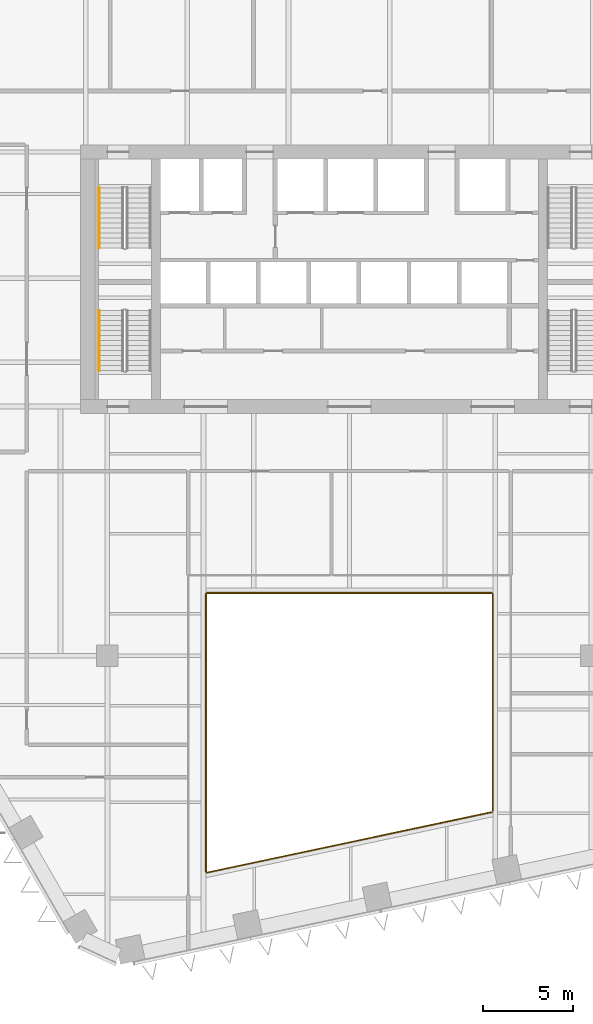
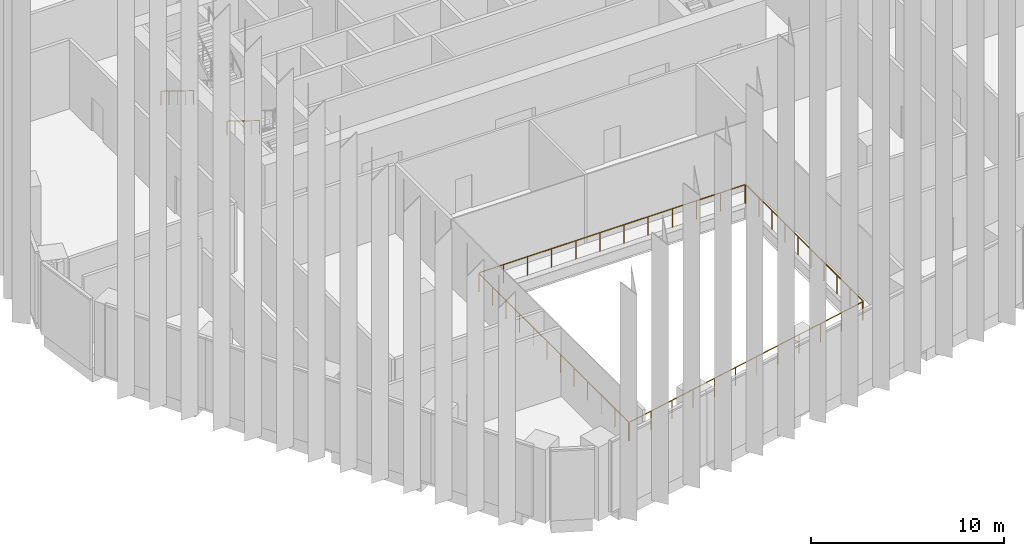
# One storey, part 14 of 18: 6 railings.
"""IFC4 building model written with IfcOpenShell, lengths in metres."""

from ifc_helpers import new_model, si_unit, direction, frame, origin, origin_2d, place, context, subcontext, project, spatial, circle, extrude, material, type_object, element, save


model = new_model("IFC4")

# Units and contexts
model_context = context("Model", 3, precision=1e-05, world=origin(), true_north=direction((0.0, 1.0)))
body_context = subcontext(model_context, "Body", "Model", "MODEL_VIEW")
ifc_project = project(units=[si_unit("LENGTHUNIT", "METRE"), si_unit("AREAUNIT", "SQUARE_METRE"), si_unit("VOLUMEUNIT", "CUBIC_METRE"), si_unit("PLANEANGLEUNIT", "RADIAN"), si_unit("MASSUNIT", "GRAM", prefix="KILO")], contexts=[model_context])

# Site, building, storey
site_placement = place(None, origin())
site = spatial("IfcSite", under=ifc_project, at=site_placement, CompositionType="ELEMENT")
building_placement = place(site_placement, origin())
building = spatial("IfcBuilding", under=site, at=building_placement, Name="Isthmus Gate Tower", CompositionType="ELEMENT")
storey_placement = place(building_placement, frame((0.0, 0.0, 166.300048828125)))
storey = spatial("IfcBuildingStorey", under=building, at=storey_placement, Name="L41", CompositionType="ELEMENT", Elevation=166.300048828125)

# Railings
ifc_material_1 = material(Name="Toughened laminated glass with stainless steel handrail", Category="steel")
railing_type_1 = type_object("IfcRailingType", Name="Atrium glass guard 1200", PredefinedType="GUARDRAIL", material=ifc_material_1)
railing_1_placement = place(storey_placement, frame((-7.951171875, -25.6005859375, 0.0)))
element("IfcRailing", 1, at=railing_1_placement, inside=storey, type_object=railing_type_1, Name="L41 atrium glass guard 1", PredefinedType="GUARDRAIL", context=body_context, shape_type="SweptSolid", body=[
    extrude(circle(Radius=0.030029296875, at=origin_2d()), frame((0.0, 0.0, 1.169921875), z_axis=(0.978150911752, 0.207896113091, 0.0), x_axis=(-0.207896113091, 0.978150911752, 0.0)), (0.0, 0.0, 1.0), 16.257568359375),
    extrude(circle(Radius=0.02490234375, at=origin_2d()), origin(), (0.0, 0.0, 1.0), 1.139892578125),
    extrude(circle(Radius=0.02490234375, at=origin_2d()), frame((1.445556640625, 0.307373046875, 0.0)), (0.0, 0.0, 1.0), 1.139892578125),
    extrude(circle(Radius=0.02490234375, at=origin_2d()), frame((2.891357421875, 0.614501953125, 0.0)), (0.0, 0.0, 1.0), 1.139892578125),
    extrude(circle(Radius=0.02490234375, at=origin_2d()), frame((4.3369140625, 0.921875, 0.0)), (0.0, 0.0, 1.0), 1.139892578125),
    extrude(circle(Radius=0.02490234375, at=origin_2d()), frame((5.78271484375, 1.22900390625, 0.0)), (0.0, 0.0, 1.0), 1.139892578125),
    extrude(circle(Radius=0.02490234375, at=origin_2d()), frame((7.228271484375, 1.536376953125, 0.0)), (0.0, 0.0, 1.0), 1.139892578125),
    extrude(circle(Radius=0.02490234375, at=origin_2d()), frame((8.674072265625, 1.843505859375, 0.0)), (0.0, 0.0, 1.0), 1.139892578125),
    extrude(circle(Radius=0.02490234375, at=origin_2d()), frame((10.11962890625, 2.15087890625, 0.0)), (0.0, 0.0, 1.0), 1.139892578125),
    extrude(circle(Radius=0.02490234375, at=origin_2d()), frame((11.5654296875, 2.4580078125, 0.0)), (0.0, 0.0, 1.0), 1.139892578125),
    extrude(circle(Radius=0.02490234375, at=origin_2d()), frame((13.010986328125, 2.765380859375, 0.0)), (0.0, 0.0, 1.0), 1.139892578125),
    extrude(circle(Radius=0.02490234375, at=origin_2d()), frame((14.456787109375, 3.072509765625, 0.0)), (0.0, 0.0, 1.0), 1.139892578125),
    extrude(circle(Radius=0.02490234375, at=origin_2d()), frame((15.90234375, 3.3798828125, 0.0)), (0.0, 0.0, 1.0), 1.139892578125),
])
railing_2_placement = place(storey_placement, frame((8.0, -22.16015625, 0.0)))
element("IfcRailing", 2, at=railing_2_placement, inside=storey, type_object=railing_type_1, Name="L41 atrium glass guard 2", PredefinedType="GUARDRAIL", context=body_context, shape_type="SweptSolid", body=[
    extrude(circle(Radius=0.030029296875, at=origin_2d()), frame((0.0, 0.0, 1.169921875), z_axis=(0.0, 1.0, 0.0), x_axis=(-1.0, 0.0, 0.0)), (0.0, 0.0, 1.0), 12.110107421875),
    extrude(circle(Radius=0.02490234375, at=origin_2d()), origin(), (0.0, 0.0, 1.0), 1.139892578125),
    extrude(circle(Radius=0.02490234375, at=origin_2d()), frame((0.0, 1.345458984375, 0.0)), (0.0, 0.0, 1.0), 1.139892578125),
    extrude(circle(Radius=0.02490234375, at=origin_2d()), frame((0.0, 2.691162109375, 0.0)), (0.0, 0.0, 1.0), 1.139892578125),
    extrude(circle(Radius=0.02490234375, at=origin_2d()), frame((0.0, 4.03662109375, 0.0)), (0.0, 0.0, 1.0), 1.139892578125),
    extrude(circle(Radius=0.02490234375, at=origin_2d()), frame((0.0, 5.38232421875, 0.0)), (0.0, 0.0, 1.0), 1.139892578125),
    extrude(circle(Radius=0.02490234375, at=origin_2d()), frame((0.0, 6.727783203125, 0.0)), (0.0, 0.0, 1.0), 1.139892578125),
    extrude(circle(Radius=0.02490234375, at=origin_2d()), frame((0.0, 8.073486328125, 0.0)), (0.0, 0.0, 1.0), 1.139892578125),
    extrude(circle(Radius=0.02490234375, at=origin_2d()), frame((0.0, 9.4189453125, 0.0)), (0.0, 0.0, 1.0), 1.139892578125),
    extrude(circle(Radius=0.02490234375, at=origin_2d()), frame((0.0, 10.7646484375, 0.0)), (0.0, 0.0, 1.0), 1.139892578125),
    extrude(circle(Radius=0.02490234375, at=origin_2d()), frame((0.0, 12.110107421875, 0.0)), (0.0, 0.0, 1.0), 1.139892578125),
])
railing_3_placement = place(storey_placement, frame((7.949951171875, -10.0, 0.0)))
element("IfcRailing", 3, at=railing_3_placement, inside=storey, type_object=railing_type_1, Name="L41 atrium glass guard 3", PredefinedType="GUARDRAIL", context=body_context, shape_type="SweptSolid", body=[
    extrude(circle(Radius=0.030029296875, at=origin_2d()), frame((0.0, 0.0, 1.169921875), z_axis=(-1.0, 0.0, 0.0), x_axis=(0.0, -1.0, 0.0)), (0.0, 0.0, 1.0), 15.89990234375),
    extrude(circle(Radius=0.02490234375, at=origin_2d()), origin(), (0.0, 0.0, 1.0), 1.139892578125),
    extrude(circle(Radius=0.02490234375, at=origin_2d()), frame((-1.445556640625, 0.0, 0.0)), (0.0, 0.0, 1.0), 1.139892578125),
    extrude(circle(Radius=0.02490234375, at=origin_2d()), frame((-2.890869140625, 0.0, 0.0)), (0.0, 0.0, 1.0), 1.139892578125),
    extrude(circle(Radius=0.02490234375, at=origin_2d()), frame((-4.33642578125, 0.0, 0.0)), (0.0, 0.0, 1.0), 1.139892578125),
    extrude(circle(Radius=0.02490234375, at=origin_2d()), frame((-5.78173828125, 0.0, 0.0)), (0.0, 0.0, 1.0), 1.139892578125),
    extrude(circle(Radius=0.02490234375, at=origin_2d()), frame((-7.227294921875, 0.0, 0.0)), (0.0, 0.0, 1.0), 1.139892578125),
    extrude(circle(Radius=0.02490234375, at=origin_2d()), frame((-8.672607421875, 0.0, 0.0)), (0.0, 0.0, 1.0), 1.139892578125),
    extrude(circle(Radius=0.02490234375, at=origin_2d()), frame((-10.1181640625, 0.0, 0.0)), (0.0, 0.0, 1.0), 1.139892578125),
    extrude(circle(Radius=0.02490234375, at=origin_2d()), frame((-11.5634765625, 0.0, 0.0)), (0.0, 0.0, 1.0), 1.139892578125),
    extrude(circle(Radius=0.02490234375, at=origin_2d()), frame((-13.009033203125, 0.0, 0.0)), (0.0, 0.0, 1.0), 1.139892578125),
    extrude(circle(Radius=0.02490234375, at=origin_2d()), frame((-14.454345703125, 0.0, 0.0)), (0.0, 0.0, 1.0), 1.139892578125),
    extrude(circle(Radius=0.02490234375, at=origin_2d()), frame((-15.89990234375, 0.0, 0.0)), (0.0, 0.0, 1.0), 1.139892578125),
])
railing_4_placement = place(storey_placement, frame((-8.0, -10.050048828125, 0.0)))
element("IfcRailing", 4, at=railing_4_placement, inside=storey, type_object=railing_type_1, Name="L41 atrium glass guard 4", PredefinedType="GUARDRAIL", context=body_context, shape_type="SweptSolid", body=[
    extrude(circle(Radius=0.030029296875, at=origin_2d()), frame((0.0, 0.0, 1.169921875), z_axis=(0.0, -1.0, 0.0), x_axis=(1.0, 0.0, 0.0)), (0.0, 0.0, 1.0), 15.510986328125),
    extrude(circle(Radius=0.02490234375, at=origin_2d()), origin(), (0.0, 0.0, 1.0), 1.139892578125),
    extrude(circle(Radius=0.02490234375, at=origin_2d()), frame((0.0, -1.41015625, 0.0)), (0.0, 0.0, 1.0), 1.139892578125),
    extrude(circle(Radius=0.02490234375, at=origin_2d()), frame((0.0, -2.820068359375, 0.0)), (0.0, 0.0, 1.0), 1.139892578125),
    extrude(circle(Radius=0.02490234375, at=origin_2d()), frame((0.0, -4.230224609375, 0.0)), (0.0, 0.0, 1.0), 1.139892578125),
    extrude(circle(Radius=0.02490234375, at=origin_2d()), frame((0.0, -5.640380859375, 0.0)), (0.0, 0.0, 1.0), 1.139892578125),
    extrude(circle(Radius=0.02490234375, at=origin_2d()), frame((0.0, -7.050537109375, 0.0)), (0.0, 0.0, 1.0), 1.139892578125),
    extrude(circle(Radius=0.02490234375, at=origin_2d()), frame((0.0, -8.46044921875, 0.0)), (0.0, 0.0, 1.0), 1.139892578125),
    extrude(circle(Radius=0.02490234375, at=origin_2d()), frame((0.0, -9.87060546875, 0.0)), (0.0, 0.0, 1.0), 1.139892578125),
    extrude(circle(Radius=0.02490234375, at=origin_2d()), frame((0.0, -11.28076171875, 0.0)), (0.0, 0.0, 1.0), 1.139892578125),
    extrude(circle(Radius=0.02490234375, at=origin_2d()), frame((0.0, -12.69091796875, 0.0)), (0.0, 0.0, 1.0), 1.139892578125),
    extrude(circle(Radius=0.02490234375, at=origin_2d()), frame((0.0, -14.100830078125, 0.0)), (0.0, 0.0, 1.0), 1.139892578125),
    extrude(circle(Radius=0.02490234375, at=origin_2d()), frame((0.0, -15.510986328125, 0.0)), (0.0, 0.0, 1.0), 1.139892578125),
])
ifc_material_2 = material(Name="Stainless steel handrail", Category="steel")
railing_type_2 = type_object("IfcRailingType", Name="STAIR HANDRAIL 900", PredefinedType="HANDRAIL", material=ifc_material_2)
for number, where, name in (
    (5, (-13.949951171875, 12.60009765625, 0.173095703125), "L41 ST1 stair handrail 1"),
    (6, (-13.949951171875, 5.760009765625, 2.423095703125), "L41 ST7 stair handrail 2"),
):
    element("IfcRailing", number, at=place(storey_placement, frame(where)), inside=storey, type_object=railing_type_2, Name=name, PredefinedType="HANDRAIL", context=body_context, shape_type="SweptSolid", body=[
        extrude(circle(Radius=0.02392578125, at=origin_2d()), frame((0.0, 0.0, 0.8759765625), z_axis=(0.0, -0.850623216509, 0.525775754039), x_axis=(1.0, 0.0, 0.0)), (0.0, 0.0, 1.0), 3.9501953125),
        extrude(circle(Radius=0.02099609375, at=origin_2d()), origin(), (0.0, 0.0, 1.0), 0.851806640625),
        extrude(circle(Radius=0.02099609375, at=origin_2d()), frame((0.0, -0.840087890625, 0.519287109375)), (0.0, 0.0, 1.0), 0.851806640625),
        extrude(circle(Radius=0.02099609375, at=origin_2d()), frame((0.0, -1.68017578125, 1.03857421875)), (0.0, 0.0, 1.0), 0.851806640625),
        extrude(circle(Radius=0.02099609375, at=origin_2d()), frame((0.0, -2.52001953125, 1.5576171875)), (0.0, 0.0, 1.0), 0.851806640625),
        extrude(circle(Radius=0.02099609375, at=origin_2d()), frame((0.0, -3.360107421875, 2.076904296875)), (0.0, 0.0, 1.0), 0.851806640625),
    ])

save(model, "model.ifc")
